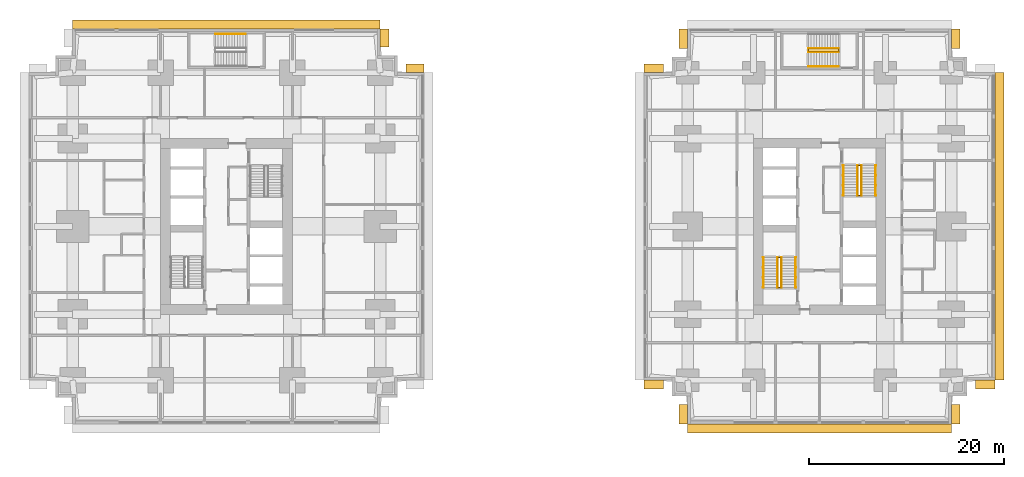
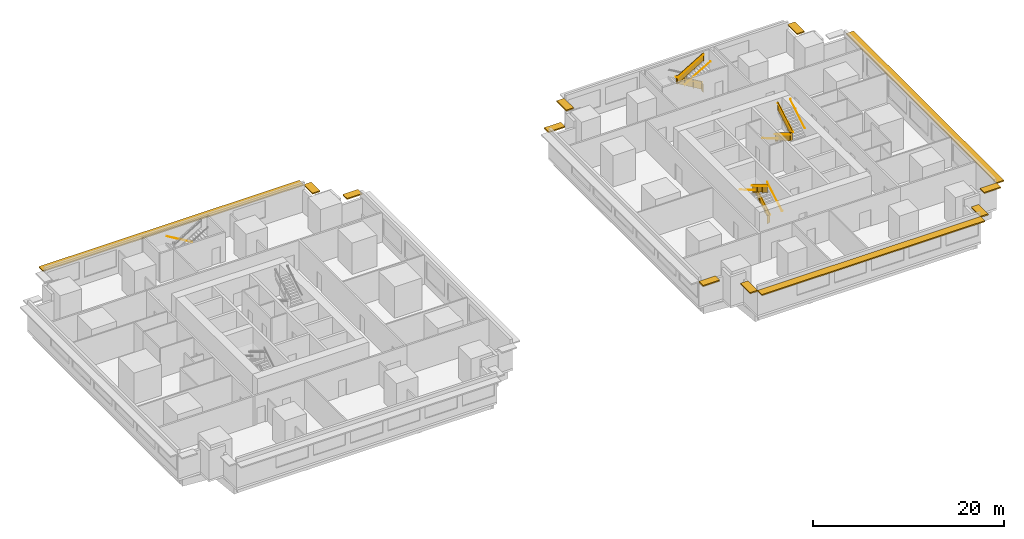
# One storey, part 10 of 11: 15 railings, 12 shading devices.
"""IFC4 building model written with IfcOpenShell, lengths in metres."""

from ifc_helpers import new_model, si_unit, direction, frame, origin, origin_2d, place, context, subcontext, project, spatial, polyline, rectangle, circle, outline, extrude, material, layer, layer_set, type_object, element, save


model = new_model("IFC4")

# Units and contexts
model_context = context("Model", 3, precision=1e-05, world=origin(), true_north=direction((0.0, 1.0)))
body_context = subcontext(model_context, "Body", "Model", "MODEL_VIEW")
ifc_project = project(units=[si_unit("LENGTHUNIT", "METRE"), si_unit("AREAUNIT", "SQUARE_METRE"), si_unit("VOLUMEUNIT", "CUBIC_METRE"), si_unit("PLANEANGLEUNIT", "RADIAN"), si_unit("MASSUNIT", "GRAM", prefix="KILO")], contexts=[model_context])

# Site, building, storey
site_placement = place(None, origin())
site = spatial("IfcSite", under=ifc_project, at=site_placement, CompositionType="ELEMENT")
building_placement = place(site_placement, origin())
building = spatial("IfcBuilding", under=site, at=building_placement, Name="Namib Vertical Campus", CompositionType="ELEMENT")
storey_placement = place(building_placement, frame((0.0, 0.0, 37.0)))
storey = spatial("IfcBuildingStorey", under=building, at=storey_placement, Name="L08", CompositionType="ELEMENT", Elevation=37.0)

# Railings
ifc_material_1 = material(Name="Steel handrail", Category="steel")
railing_type_1 = type_object("IfcRailingType", Name="Handrail 900", PredefinedType="HANDRAIL", material=ifc_material_1)
railing_1_placement = place(storey_placement, frame((78.550048828125, 14.0, 0.166748046875)))
element("IfcRailing", 1, at=railing_1_placement, inside=storey, type_object=railing_type_1, Name="Handrail HR1 B-S1 L08 1", PredefinedType="HANDRAIL", context=body_context, shape_type="SweptSolid", body=[
    extrude(circle(Radius=0.02392578125, at=origin_2d()), frame((0.0, 0.0, 0.8759765625), z_axis=(0.0, 0.859308565015, 0.511457515432), x_axis=(-1.0, 0.0, 0.0)), (0.0, 0.0, 1.0), 3.58447265625),
    extrude(circle(Radius=0.008056640625, at=origin_2d()), frame((0.0, 0.0, 0.8759765625), z_axis=(1.0, 0.0, 0.0), x_axis=(0.0, 0.0, 1.0)), (0.0, 0.0, 1.0), 0.050048828125),
    extrude(circle(Radius=0.008056640625, at=origin_2d()), frame((0.0, 1.026611328125, 1.48681640625), z_axis=(1.0, 0.0, 0.0), x_axis=(0.0, 0.0, 1.0)), (0.0, 0.0, 1.0), 0.050048828125),
    extrude(circle(Radius=0.008056640625, at=origin_2d()), frame((0.0, 2.053466796875, 2.09814453125), z_axis=(1.0, 0.0, 0.0), x_axis=(0.0, 0.0, 1.0)), (0.0, 0.0, 1.0), 0.050048828125),
    extrude(circle(Radius=0.008056640625, at=origin_2d()), frame((0.0, 3.080078125, 2.708984375), z_axis=(1.0, 0.0, 0.0), x_axis=(0.0, 0.0, 1.0)), (0.0, 0.0, 1.0), 0.050048828125),
])
railing_2_placement = place(storey_placement, frame((75.25, 17.080078125, 2.166748046875)))
element("IfcRailing", 2, at=railing_2_placement, inside=storey, type_object=railing_type_1, Name="Handrail HR1 B-S1 L08 2", PredefinedType="HANDRAIL", context=body_context, shape_type="SweptSolid", body=[
    extrude(circle(Radius=0.02392578125, at=origin_2d()), frame((0.0, 0.0, 0.8759765625), z_axis=(0.0, -0.859308565015, 0.511457515432), x_axis=(1.0, 0.0, 0.0)), (0.0, 0.0, 1.0), 3.58447265625),
    extrude(circle(Radius=0.008056640625, at=origin_2d()), frame((0.0, 0.0, 0.8759765625), z_axis=(-1.0, 0.0, 0.0), x_axis=(0.0, 0.0, 1.0)), (0.0, 0.0, 1.0), 0.050048828125),
    extrude(circle(Radius=0.008056640625, at=origin_2d()), frame((0.0, -1.026611328125, 1.48681640625), z_axis=(-1.0, 0.0, 0.0), x_axis=(0.0, 0.0, 1.0)), (0.0, 0.0, 1.0), 0.050048828125),
    extrude(circle(Radius=0.008056640625, at=origin_2d()), frame((0.0, -2.053466796875, 2.09814453125), z_axis=(-1.0, 0.0, 0.0), x_axis=(0.0, 0.0, 1.0)), (0.0, 0.0, 1.0), 0.050048828125),
    extrude(circle(Radius=0.008056640625, at=origin_2d()), frame((0.0, -3.080078125, 2.708984375), z_axis=(-1.0, 0.0, 0.0), x_axis=(0.0, 0.0, 1.0)), (0.0, 0.0, 1.0), 0.050048828125),
])
railing_3_placement = place(storey_placement, frame((77.10009765625, 14.0, 0.166748046875)))
element("IfcRailing", 3, at=railing_3_placement, inside=storey, type_object=railing_type_1, Name="Handrail HR1 B-S1 L08 1 at the well", PredefinedType="HANDRAIL", context=body_context, shape_type="SweptSolid", body=[
    extrude(circle(Radius=0.02392578125, at=origin_2d()), frame((0.0, 0.0, 0.8759765625), z_axis=(0.0, 0.859308565015, 0.511457515432), x_axis=(-1.0, 0.0, 0.0)), (0.0, 0.0, 1.0), 3.58447265625),
    extrude(circle(Radius=0.008056640625, at=origin_2d()), frame((0.0, 0.0, 0.8759765625), z_axis=(-1.0, 0.0, 0.0), x_axis=(0.0, 0.0, 1.0)), (0.0, 0.0, 1.0), 0.0400390625),
    extrude(circle(Radius=0.008056640625, at=origin_2d()), frame((0.0, 1.026611328125, 1.48681640625), z_axis=(-1.0, 0.0, 0.0), x_axis=(0.0, 0.0, 1.0)), (0.0, 0.0, 1.0), 0.0400390625),
    extrude(circle(Radius=0.008056640625, at=origin_2d()), frame((0.0, 2.053466796875, 2.09814453125), z_axis=(-1.0, 0.0, 0.0), x_axis=(0.0, 0.0, 1.0)), (0.0, 0.0, 1.0), 0.0400390625),
    extrude(circle(Radius=0.008056640625, at=origin_2d()), frame((0.0, 3.080078125, 2.708984375), z_axis=(-1.0, 0.0, 0.0), x_axis=(0.0, 0.0, 1.0)), (0.0, 0.0, 1.0), 0.0400390625),
])
railing_4_placement = place(storey_placement, frame((76.699951171875, 17.080078125, 2.166748046875)))
element("IfcRailing", 4, at=railing_4_placement, inside=storey, type_object=railing_type_1, Name="Handrail HR1 B-S1 L08 2 at the well", PredefinedType="HANDRAIL", context=body_context, shape_type="SweptSolid", body=[
    extrude(circle(Radius=0.02392578125, at=origin_2d()), frame((0.0, 0.0, 0.8759765625), z_axis=(0.0, -0.859308565015, 0.511457515432), x_axis=(1.0, 0.0, 0.0)), (0.0, 0.0, 1.0), 3.58447265625),
    extrude(circle(Radius=0.008056640625, at=origin_2d()), frame((0.0, 0.0, 0.8759765625), z_axis=(1.0, 0.0, 0.0), x_axis=(0.0, 0.0, 1.0)), (0.0, 0.0, 1.0), 0.0400390625),
    extrude(circle(Radius=0.008056640625, at=origin_2d()), frame((0.0, -1.026611328125, 1.48681640625), z_axis=(1.0, 0.0, 0.0), x_axis=(0.0, 0.0, 1.0)), (0.0, 0.0, 1.0), 0.0400390625),
    extrude(circle(Radius=0.008056640625, at=origin_2d()), frame((0.0, -2.053466796875, 2.09814453125), z_axis=(1.0, 0.0, 0.0), x_axis=(0.0, 0.0, 1.0)), (0.0, 0.0, 1.0), 0.0400390625),
    extrude(circle(Radius=0.008056640625, at=origin_2d()), frame((0.0, -3.080078125, 2.708984375), z_axis=(1.0, 0.0, 0.0), x_axis=(0.0, 0.0, 1.0)), (0.0, 0.0, 1.0), 0.0400390625),
])
railing_5_placement = place(storey_placement, frame((83.449951171875, 26.5, 0.166748046875)))
element("IfcRailing", 5, at=railing_5_placement, inside=storey, type_object=railing_type_1, Name="Handrail HR1 B-S2 L08 1", PredefinedType="HANDRAIL", context=body_context, shape_type="SweptSolid", body=[
    extrude(circle(Radius=0.02392578125, at=origin_2d()), frame((0.0, 0.0, 0.8759765625), z_axis=(0.0, -0.859308565015, 0.511457515432), x_axis=(1.0, 0.0, 0.0)), (0.0, 0.0, 1.0), 3.58447265625),
    extrude(circle(Radius=0.008056640625, at=origin_2d()), frame((0.0, 0.0, 0.8759765625), z_axis=(-1.0, 0.0, 0.0), x_axis=(0.0, 0.0, 1.0)), (0.0, 0.0, 1.0), 0.050048828125),
    extrude(circle(Radius=0.008056640625, at=origin_2d()), frame((0.0, -1.026611328125, 1.48681640625), z_axis=(-1.0, 0.0, 0.0), x_axis=(0.0, 0.0, 1.0)), (0.0, 0.0, 1.0), 0.050048828125),
    extrude(circle(Radius=0.008056640625, at=origin_2d()), frame((0.0, -2.053466796875, 2.09814453125), z_axis=(-1.0, 0.0, 0.0), x_axis=(0.0, 0.0, 1.0)), (0.0, 0.0, 1.0), 0.050048828125),
    extrude(circle(Radius=0.008056640625, at=origin_2d()), frame((0.0, -3.080078125, 2.708984375), z_axis=(-1.0, 0.0, 0.0), x_axis=(0.0, 0.0, 1.0)), (0.0, 0.0, 1.0), 0.050048828125),
])
railing_6_placement = place(storey_placement, frame((86.75, 23.419921875, 2.166748046875)))
element("IfcRailing", 6, at=railing_6_placement, inside=storey, type_object=railing_type_1, Name="Handrail HR1 B-S2 L08 2", PredefinedType="HANDRAIL", context=body_context, shape_type="SweptSolid", body=[
    extrude(circle(Radius=0.02392578125, at=origin_2d()), frame((0.0, 0.0, 0.8759765625), z_axis=(0.0, 0.859308565015, 0.511457515432), x_axis=(-1.0, 0.0, 0.0)), (0.0, 0.0, 1.0), 3.58447265625),
    extrude(circle(Radius=0.008056640625, at=origin_2d()), frame((0.0, 0.0, 0.8759765625), z_axis=(1.0, 0.0, 0.0), x_axis=(0.0, 0.0, 1.0)), (0.0, 0.0, 1.0), 0.050048828125),
    extrude(circle(Radius=0.008056640625, at=origin_2d()), frame((0.0, 1.026611328125, 1.48681640625), z_axis=(1.0, 0.0, 0.0), x_axis=(0.0, 0.0, 1.0)), (0.0, 0.0, 1.0), 0.050048828125),
    extrude(circle(Radius=0.008056640625, at=origin_2d()), frame((0.0, 2.053466796875, 2.09814453125), z_axis=(1.0, 0.0, 0.0), x_axis=(0.0, 0.0, 1.0)), (0.0, 0.0, 1.0), 0.050048828125),
    extrude(circle(Radius=0.008056640625, at=origin_2d()), frame((0.0, 3.080078125, 2.708984375), z_axis=(1.0, 0.0, 0.0), x_axis=(0.0, 0.0, 1.0)), (0.0, 0.0, 1.0), 0.050048828125),
])
railing_7_placement = place(storey_placement, frame((84.89990234375, 26.5, 0.166748046875)))
element("IfcRailing", 7, at=railing_7_placement, inside=storey, type_object=railing_type_1, Name="Handrail HR1 B-S2 L08 1 at the well", PredefinedType="HANDRAIL", context=body_context, shape_type="SweptSolid", body=[
    extrude(circle(Radius=0.02392578125, at=origin_2d()), frame((0.0, 0.0, 0.8759765625), z_axis=(0.0, -0.859308565015, 0.511457515432), x_axis=(1.0, 0.0, 0.0)), (0.0, 0.0, 1.0), 3.58447265625),
    extrude(circle(Radius=0.008056640625, at=origin_2d()), frame((0.0, 0.0, 0.8759765625), z_axis=(1.0, 0.0, 0.0), x_axis=(0.0, 0.0, 1.0)), (0.0, 0.0, 1.0), 0.0400390625),
    extrude(circle(Radius=0.008056640625, at=origin_2d()), frame((0.0, -1.026611328125, 1.48681640625), z_axis=(1.0, 0.0, 0.0), x_axis=(0.0, 0.0, 1.0)), (0.0, 0.0, 1.0), 0.0400390625),
    extrude(circle(Radius=0.008056640625, at=origin_2d()), frame((0.0, -2.053466796875, 2.09814453125), z_axis=(1.0, 0.0, 0.0), x_axis=(0.0, 0.0, 1.0)), (0.0, 0.0, 1.0), 0.0400390625),
    extrude(circle(Radius=0.008056640625, at=origin_2d()), frame((0.0, -3.080078125, 2.708984375), z_axis=(1.0, 0.0, 0.0), x_axis=(0.0, 0.0, 1.0)), (0.0, 0.0, 1.0), 0.0400390625),
])
railing_8_placement = place(storey_placement, frame((85.300048828125, 23.419921875, 2.166748046875)))
element("IfcRailing", 8, at=railing_8_placement, inside=storey, type_object=railing_type_1, Name="Handrail HR1 B-S2 L08 2 at the well", PredefinedType="HANDRAIL", context=body_context, shape_type="SweptSolid", body=[
    extrude(circle(Radius=0.02392578125, at=origin_2d()), frame((0.0, 0.0, 0.8759765625), z_axis=(0.0, 0.859308565015, 0.511457515432), x_axis=(-1.0, 0.0, 0.0)), (0.0, 0.0, 1.0), 3.58447265625),
    extrude(circle(Radius=0.008056640625, at=origin_2d()), frame((0.0, 0.0, 0.8759765625), z_axis=(-1.0, 0.0, 0.0), x_axis=(0.0, 0.0, 1.0)), (0.0, 0.0, 1.0), 0.0400390625),
    extrude(circle(Radius=0.008056640625, at=origin_2d()), frame((0.0, 1.026611328125, 1.48681640625), z_axis=(-1.0, 0.0, 0.0), x_axis=(0.0, 0.0, 1.0)), (0.0, 0.0, 1.0), 0.0400390625),
    extrude(circle(Radius=0.008056640625, at=origin_2d()), frame((0.0, 2.053466796875, 2.09814453125), z_axis=(-1.0, 0.0, 0.0), x_axis=(0.0, 0.0, 1.0)), (0.0, 0.0, 1.0), 0.0400390625),
    extrude(circle(Radius=0.008056640625, at=origin_2d()), frame((0.0, 3.080078125, 2.708984375), z_axis=(-1.0, 0.0, 0.0), x_axis=(0.0, 0.0, 1.0)), (0.0, 0.0, 1.0), 0.0400390625),
])
railing_9_placement = place(storey_placement, frame((22.199951171875, 39.949951171875, 0.166748046875)))
element("IfcRailing", 9, at=railing_9_placement, inside=storey, type_object=railing_type_1, Name="Handrail HR1 A-S3 L08 1", PredefinedType="HANDRAIL", context=body_context, shape_type="SweptSolid", body=[
    extrude(circle(Radius=0.02392578125, at=origin_2d()), frame((0.0, 0.0, 0.8759765625), z_axis=(-0.859290745958, 0.0, 0.51148745235), x_axis=(0.0, -1.0, 0.0)), (0.0, 0.0, 1.0), 3.584228515625),
    extrude(circle(Radius=0.008056640625, at=origin_2d()), frame((0.0, 0.0, 0.8759765625), z_axis=(0.0, 1.0, 0.0), x_axis=(0.0, 0.0, 1.0)), (0.0, 0.0, 1.0), 0.050048828125),
    extrude(circle(Radius=0.008056640625, at=origin_2d()), frame((-1.026611328125, 0.0, 1.48681640625), z_axis=(0.0, 1.0, 0.0), x_axis=(0.0, 0.0, 1.0)), (0.0, 0.0, 1.0), 0.050048828125),
    extrude(circle(Radius=0.008056640625, at=origin_2d()), frame((-2.05322265625, 0.0, 2.09814453125), z_axis=(0.0, 1.0, 0.0), x_axis=(0.0, 0.0, 1.0)), (0.0, 0.0, 1.0), 0.050048828125),
    extrude(circle(Radius=0.008056640625, at=origin_2d()), frame((-3.079833984375, 0.0, 2.708984375), z_axis=(0.0, 1.0, 0.0), x_axis=(0.0, 0.0, 1.0)), (0.0, 0.0, 1.0), 0.050048828125),
])
railing_10_placement = place(storey_placement, frame((79.8701171875, 36.64990234375, 2.166748046875)))
element("IfcRailing", 10, at=railing_10_placement, inside=storey, type_object=railing_type_1, Name="Handrail HR1 B-S3 L08 2", PredefinedType="HANDRAIL", context=body_context, shape_type="SweptSolid", body=[
    extrude(circle(Radius=0.02392578125, at=origin_2d()), frame((0.0, 0.0, 0.8759765625), z_axis=(0.859290745958, 0.0, 0.51148745235), x_axis=(0.0, 1.0, 0.0)), (0.0, 0.0, 1.0), 3.584228515625),
    extrude(circle(Radius=0.008056640625, at=origin_2d()), frame((0.0, 0.0, 0.8759765625), z_axis=(0.0, -1.0, 0.0), x_axis=(0.0, 0.0, 1.0)), (0.0, 0.0, 1.0), 0.050048828125),
    extrude(circle(Radius=0.008056640625, at=origin_2d()), frame((1.026611328125, 0.0, 1.48681640625), z_axis=(0.0, -1.0, 0.0), x_axis=(0.0, 0.0, 1.0)), (0.0, 0.0, 1.0), 0.050048828125),
    extrude(circle(Radius=0.008056640625, at=origin_2d()), frame((2.05322265625, 0.0, 2.09814453125), z_axis=(0.0, -1.0, 0.0), x_axis=(0.0, 0.0, 1.0)), (0.0, 0.0, 1.0), 0.050048828125),
    extrude(circle(Radius=0.008056640625, at=origin_2d()), frame((3.079833984375, 0.0, 2.708984375), z_axis=(0.0, -1.0, 0.0), x_axis=(0.0, 0.0, 1.0)), (0.0, 0.0, 1.0), 0.050048828125),
])
railing_11_placement = place(storey_placement, frame((82.949951171875, 38.5, 0.166748046875)))
element("IfcRailing", 11, at=railing_11_placement, inside=storey, type_object=railing_type_1, Name="Handrail HR1 B-S3 L08 1 at the well", PredefinedType="HANDRAIL", context=body_context, shape_type="SweptSolid", body=[
    extrude(circle(Radius=0.02392578125, at=origin_2d()), frame((0.0, 0.0, 0.8759765625), z_axis=(-0.859290745958, 0.0, 0.51148745235), x_axis=(0.0, -1.0, 0.0)), (0.0, 0.0, 1.0), 3.584228515625),
    extrude(circle(Radius=0.008056640625, at=origin_2d()), frame((0.0, 0.0, 0.8759765625), z_axis=(0.0, -1.0, 0.0), x_axis=(0.0, 0.0, 1.0)), (0.0, 0.0, 1.0), 0.0400390625),
    extrude(circle(Radius=0.008056640625, at=origin_2d()), frame((-1.026611328125, 0.0, 1.48681640625), z_axis=(0.0, -1.0, 0.0), x_axis=(0.0, 0.0, 1.0)), (0.0, 0.0, 1.0), 0.0400390625),
    extrude(circle(Radius=0.008056640625, at=origin_2d()), frame((-2.05322265625, 0.0, 2.09814453125), z_axis=(0.0, -1.0, 0.0), x_axis=(0.0, 0.0, 1.0)), (0.0, 0.0, 1.0), 0.0400390625),
    extrude(circle(Radius=0.008056640625, at=origin_2d()), frame((-3.079833984375, 0.0, 2.708984375), z_axis=(0.0, -1.0, 0.0), x_axis=(0.0, 0.0, 1.0)), (0.0, 0.0, 1.0), 0.0400390625),
])
railing_12_placement = place(storey_placement, frame((79.8701171875, 38.10009765625, 2.166748046875)))
element("IfcRailing", 12, at=railing_12_placement, inside=storey, type_object=railing_type_1, Name="Handrail HR1 B-S3 L08 2 at the well", PredefinedType="HANDRAIL", context=body_context, shape_type="SweptSolid", body=[
    extrude(circle(Radius=0.02392578125, at=origin_2d()), frame((0.0, 0.0, 0.8759765625), z_axis=(0.859290745958, 0.0, 0.51148745235), x_axis=(0.0, 1.0, 0.0)), (0.0, 0.0, 1.0), 3.584228515625),
    extrude(circle(Radius=0.008056640625, at=origin_2d()), frame((0.0, 0.0, 0.8759765625), z_axis=(0.0, 1.0, 0.0), x_axis=(0.0, 0.0, 1.0)), (0.0, 0.0, 1.0), 0.0400390625),
    extrude(circle(Radius=0.008056640625, at=origin_2d()), frame((1.026611328125, 0.0, 1.48681640625), z_axis=(0.0, 1.0, 0.0), x_axis=(0.0, 0.0, 1.0)), (0.0, 0.0, 1.0), 0.0400390625),
    extrude(circle(Radius=0.008056640625, at=origin_2d()), frame((2.05322265625, 0.0, 2.09814453125), z_axis=(0.0, 1.0, 0.0), x_axis=(0.0, 0.0, 1.0)), (0.0, 0.0, 1.0), 0.0400390625),
    extrude(circle(Radius=0.008056640625, at=origin_2d()), frame((3.079833984375, 0.0, 2.708984375), z_axis=(0.0, 1.0, 0.0), x_axis=(0.0, 0.0, 1.0)), (0.0, 0.0, 1.0), 0.0400390625),
])
ifc_material_2 = material(Name="Steel balustrade", Category="steel")
railing_type_2 = type_object("IfcRailingType", Name="Stair guard 1100", PredefinedType="GUARDRAIL", material=ifc_material_2)
railing_13_placement = place(storey_placement, frame((76.75, 14.0, 0.0)))
element("IfcRailing", 13, at=railing_13_placement, inside=storey, type_object=railing_type_2, Name="Stair guard GR1 B-S1 L08", PredefinedType="GUARDRAIL", context=body_context, shape_type="SweptSolid", body=[
    extrude(circle(Radius=0.02392578125, at=origin_2d()), frame((0.0, 0.0, 1.076171875), z_axis=(1.0, 0.0, 0.0), x_axis=(0.0, 1.0, 0.0)), (0.0, 0.0, 1.0), 0.300048828125),
    extrude(outline(polyline([(0.02099609375, 0.050048828125), (0.279052734375, 0.050048828125), (0.279052734375, 1.052001953125), (0.02099609375, 1.052001953125), (0.02099609375, 0.050048828125)])), frame((0.0, 0.010009765625, 0.0), z_axis=(0.0, -1.0, 0.0), x_axis=(1.0, 0.0, 0.0)), (0.0, 0.0, 1.0), 0.02001953125),
    extrude(circle(Radius=0.02392578125, at=origin_2d()), frame((0.300048828125, 0.0, 1.076171875), z_axis=(0.0, 0.0, 1.0), x_axis=(1.0, 0.0, 0.0)), (0.0, 0.0, 1.0), 0.166748046875),
    extrude(circle(Radius=0.02392578125, at=origin_2d()), frame((0.300048828125, 0.0, 1.24267578125), z_axis=(0.0, 0.859308565015, 0.511457515432), x_axis=(-1.0, 0.0, 0.0)), (0.0, 0.0, 1.0), 3.58447265625),
    extrude(outline(polyline([(0.02099609375, 0.0625), (3.05908203125, 1.870849609375), (3.05908203125, 2.872802734375), (0.02099609375, 1.064453125), (0.02099609375, 0.0625)])), frame((0.2900390625, 0.0, 0.166748046875), z_axis=(1.0, 0.0, 0.0), x_axis=(0.0, 1.0, 0.0)), (0.0, 0.0, 1.0), 0.02001953125),
    extrude(circle(Radius=0.02392578125, at=origin_2d()), frame((0.300048828125, 3.080078125, 3.076171875), z_axis=(-1.0, 0.0, 0.0), x_axis=(0.0, -1.0, 0.0)), (0.0, 0.0, 1.0), 0.300048828125),
    extrude(outline(polyline([(0.02099609375, 0.050048828125), (0.279052734375, 0.050048828125), (0.279052734375, 1.052001953125), (0.02099609375, 1.052001953125), (0.02099609375, 0.050048828125)])), frame((0.300048828125, 3.070068359375, 2.0), z_axis=(0.0, 1.0, 0.0), x_axis=(-1.0, 0.0, 0.0)), (0.0, 0.0, 1.0), 0.02001953125),
    extrude(circle(Radius=0.02392578125, at=origin_2d()), frame((0.0, 3.080078125, 3.076171875), z_axis=(0.0, 0.0, 1.0), x_axis=(1.0, 0.0, 0.0)), (0.0, 0.0, 1.0), 0.166748046875),
    extrude(circle(Radius=0.02392578125, at=origin_2d()), frame((0.0, 3.080078125, 3.24267578125), z_axis=(0.0, -0.859308565015, 0.511457515432), x_axis=(1.0, 0.0, 0.0)), (0.0, 0.0, 1.0), 3.58447265625),
    extrude(outline(polyline([(0.02099609375, 0.0625), (3.05908203125, 1.870849609375), (3.05908203125, 2.872802734375), (0.02099609375, 1.064453125), (0.02099609375, 0.0625)])), frame((0.010009765625, 3.080078125, 2.166748046875), z_axis=(-1.0, 0.0, 0.0), x_axis=(0.0, -1.0, 0.0)), (0.0, 0.0, 1.0), 0.02001953125),
    extrude(circle(Radius=0.02392578125, at=origin_2d()), frame((0.0, 0.0, 5.076171875), z_axis=(0.0, -1.0, 0.0), x_axis=(1.0, 0.0, 0.0)), (0.0, 0.0, 1.0), 0.050048828125),
    extrude(outline(polyline([(0.02099609375, 0.050048828125), (0.029052734375, 0.050048828125), (0.029052734375, 1.052001953125), (0.02099609375, 1.052001953125), (0.02099609375, 0.050048828125)])), frame((0.010009765625, 0.0, 4.0), z_axis=(-1.0, 0.0, 0.0), x_axis=(0.0, -1.0, 0.0)), (0.0, 0.0, 1.0), 0.02001953125),
    extrude(circle(Radius=0.02099609375, at=origin_2d()), origin(), (0.0, 0.0, 1.0), 1.052001953125),
    extrude(circle(Radius=0.02099609375, at=origin_2d()), frame((0.300048828125, 0.0, 0.166748046875)), (0.0, 0.0, 1.0), 1.052001953125),
    extrude(circle(Radius=0.02099609375, at=origin_2d()), frame((0.300048828125, 1.026611328125, 0.666748046875)), (0.0, 0.0, 1.0), 1.1630859375),
    extrude(circle(Radius=0.02099609375, at=origin_2d()), frame((0.300048828125, 2.053466796875, 1.33349609375)), (0.0, 0.0, 1.0), 1.107421875),
    extrude(circle(Radius=0.02099609375, at=origin_2d()), frame((0.300048828125, 3.080078125, 2.0)), (0.0, 0.0, 1.0), 1.052001953125),
    extrude(circle(Radius=0.02099609375, at=origin_2d()), frame((0.0, 3.080078125, 2.166748046875)), (0.0, 0.0, 1.0), 1.052001953125),
    extrude(circle(Radius=0.02099609375, at=origin_2d()), frame((0.0, 2.053466796875, 2.666748046875)), (0.0, 0.0, 1.0), 1.1630859375),
    extrude(circle(Radius=0.02099609375, at=origin_2d()), frame((0.0, 1.026611328125, 3.33349609375)), (0.0, 0.0, 1.0), 1.107421875),
    extrude(circle(Radius=0.02099609375, at=origin_2d()), frame((0.0, 0.0, 4.0)), (0.0, 0.0, 1.0), 1.052001953125),
    extrude(circle(Radius=0.02099609375, at=origin_2d()), frame((0.0, -0.050048828125, 4.0)), (0.0, 0.0, 1.0), 1.052001953125),
])
railing_14_placement = place(storey_placement, frame((85.25, 26.5, 0.0)))
element("IfcRailing", 14, at=railing_14_placement, inside=storey, type_object=railing_type_2, Name="Stair guard GR1 B-S2 L08", PredefinedType="GUARDRAIL", context=body_context, shape_type="SweptSolid", body=[
    extrude(circle(Radius=0.02392578125, at=origin_2d()), frame((0.0, 0.0, 1.076171875), z_axis=(-1.0, 0.0, 0.0), x_axis=(0.0, -1.0, 0.0)), (0.0, 0.0, 1.0), 0.300048828125),
    extrude(outline(polyline([(0.02099609375, 0.050048828125), (0.279052734375, 0.050048828125), (0.279052734375, 1.052001953125), (0.02099609375, 1.052001953125), (0.02099609375, 0.050048828125)])), frame((0.0, -0.010009765625, 0.0), z_axis=(0.0, 1.0, 0.0), x_axis=(-1.0, 0.0, 0.0)), (0.0, 0.0, 1.0), 0.02001953125),
    extrude(circle(Radius=0.02392578125, at=origin_2d()), frame((-0.300048828125, 0.0, 1.076171875), z_axis=(0.0, 0.0, 1.0), x_axis=(1.0, 0.0, 0.0)), (0.0, 0.0, 1.0), 0.166748046875),
    extrude(circle(Radius=0.02392578125, at=origin_2d()), frame((-0.300048828125, 0.0, 1.24267578125), z_axis=(0.0, -0.859308565015, 0.511457515432), x_axis=(1.0, 0.0, 0.0)), (0.0, 0.0, 1.0), 3.58447265625),
    extrude(outline(polyline([(0.02099609375, 0.0625), (3.05908203125, 1.870849609375), (3.05908203125, 2.872802734375), (0.02099609375, 1.064453125), (0.02099609375, 0.0625)])), frame((-0.2900390625, 0.0, 0.166748046875), z_axis=(-1.0, 0.0, 0.0), x_axis=(0.0, -1.0, 0.0)), (0.0, 0.0, 1.0), 0.02001953125),
    extrude(circle(Radius=0.02392578125, at=origin_2d()), frame((-0.300048828125, -3.080078125, 3.076171875), z_axis=(1.0, 0.0, 0.0), x_axis=(0.0, 1.0, 0.0)), (0.0, 0.0, 1.0), 0.300048828125),
    extrude(outline(polyline([(0.02099609375, 0.050048828125), (0.279052734375, 0.050048828125), (0.279052734375, 1.052001953125), (0.02099609375, 1.052001953125), (0.02099609375, 0.050048828125)])), frame((-0.300048828125, -3.070068359375, 2.0), z_axis=(0.0, -1.0, 0.0), x_axis=(1.0, 0.0, 0.0)), (0.0, 0.0, 1.0), 0.02001953125),
    extrude(circle(Radius=0.02392578125, at=origin_2d()), frame((0.0, -3.080078125, 3.076171875), z_axis=(0.0, 0.0, 1.0), x_axis=(1.0, 0.0, 0.0)), (0.0, 0.0, 1.0), 0.166748046875),
    extrude(circle(Radius=0.02392578125, at=origin_2d()), frame((0.0, -3.080078125, 3.24267578125), z_axis=(0.0, 0.859308565015, 0.511457515432), x_axis=(-1.0, 0.0, 0.0)), (0.0, 0.0, 1.0), 3.58447265625),
    extrude(outline(polyline([(0.02099609375, 0.0625), (3.05908203125, 1.870849609375), (3.05908203125, 2.872802734375), (0.02099609375, 1.064453125), (0.02099609375, 0.0625)])), frame((-0.010009765625, -3.080078125, 2.166748046875), z_axis=(1.0, 0.0, 0.0), x_axis=(0.0, 1.0, 0.0)), (0.0, 0.0, 1.0), 0.02001953125),
    extrude(circle(Radius=0.02392578125, at=origin_2d()), frame((0.0, 0.0, 5.076171875), z_axis=(0.0, 1.0, 0.0), x_axis=(-1.0, 0.0, 0.0)), (0.0, 0.0, 1.0), 0.050048828125),
    extrude(outline(polyline([(0.02099609375, 0.050048828125), (0.029052734375, 0.050048828125), (0.029052734375, 1.052001953125), (0.02099609375, 1.052001953125), (0.02099609375, 0.050048828125)])), frame((-0.010009765625, 0.0, 4.0), z_axis=(1.0, 0.0, 0.0), x_axis=(0.0, 1.0, 0.0)), (0.0, 0.0, 1.0), 0.02001953125),
    extrude(circle(Radius=0.02099609375, at=origin_2d()), origin(), (0.0, 0.0, 1.0), 1.052001953125),
    extrude(circle(Radius=0.02099609375, at=origin_2d()), frame((-0.300048828125, 0.0, 0.166748046875)), (0.0, 0.0, 1.0), 1.052001953125),
    extrude(circle(Radius=0.02099609375, at=origin_2d()), frame((-0.300048828125, -1.026611328125, 0.666748046875)), (0.0, 0.0, 1.0), 1.1630859375),
    extrude(circle(Radius=0.02099609375, at=origin_2d()), frame((-0.300048828125, -2.053466796875, 1.33349609375)), (0.0, 0.0, 1.0), 1.107421875),
    extrude(circle(Radius=0.02099609375, at=origin_2d()), frame((-0.300048828125, -3.080078125, 2.0)), (0.0, 0.0, 1.0), 1.052001953125),
    extrude(circle(Radius=0.02099609375, at=origin_2d()), frame((0.0, -3.080078125, 2.166748046875)), (0.0, 0.0, 1.0), 1.052001953125),
    extrude(circle(Radius=0.02099609375, at=origin_2d()), frame((0.0, -2.053466796875, 2.666748046875)), (0.0, 0.0, 1.0), 1.1630859375),
    extrude(circle(Radius=0.02099609375, at=origin_2d()), frame((0.0, -1.026611328125, 3.33349609375)), (0.0, 0.0, 1.0), 1.107421875),
    extrude(circle(Radius=0.02099609375, at=origin_2d()), frame((0.0, 0.0, 4.0)), (0.0, 0.0, 1.0), 1.052001953125),
    extrude(circle(Radius=0.02099609375, at=origin_2d()), frame((0.0, 0.050048828125, 4.0)), (0.0, 0.0, 1.0), 1.052001953125),
])
railing_15_placement = place(storey_placement, frame((82.949951171875, 38.14990234375, 0.0)))
element("IfcRailing", 15, at=railing_15_placement, inside=storey, type_object=railing_type_2, Name="Stair guard GR1 B-S3 L08", PredefinedType="GUARDRAIL", context=body_context, shape_type="SweptSolid", body=[
    extrude(circle(Radius=0.02392578125, at=origin_2d()), frame((0.0, 0.0, 1.076171875), z_axis=(0.0, 1.0, 0.0), x_axis=(-1.0, 0.0, 0.0)), (0.0, 0.0, 1.0), 0.300048828125),
    extrude(outline(polyline([(0.02099609375, 0.050048828125), (0.279052734375, 0.050048828125), (0.279052734375, 1.052001953125), (0.02099609375, 1.052001953125), (0.02099609375, 0.050048828125)])), frame((-0.010009765625, 0.0, 0.0), z_axis=(1.0, 0.0, 0.0), x_axis=(0.0, 1.0, 0.0)), (0.0, 0.0, 1.0), 0.02001953125),
    extrude(circle(Radius=0.02392578125, at=origin_2d()), frame((0.0, 0.300048828125, 1.076171875), z_axis=(0.0, 0.0, 1.0), x_axis=(1.0, 0.0, 0.0)), (0.0, 0.0, 1.0), 0.166748046875),
    extrude(circle(Radius=0.02392578125, at=origin_2d()), frame((0.0, 0.300048828125, 1.24267578125), z_axis=(-0.859290745958, 0.0, 0.51148745235), x_axis=(0.0, -1.0, 0.0)), (0.0, 0.0, 1.0), 3.584228515625),
    extrude(outline(polyline([(0.02099609375, 0.0625), (3.058837890625, 1.870849609375), (3.058837890625, 2.872802734375), (0.02099609375, 1.064453125), (0.02099609375, 0.0625)])), frame((0.0, 0.2900390625, 0.166748046875), z_axis=(0.0, 1.0, 0.0), x_axis=(-1.0, 0.0, 0.0)), (0.0, 0.0, 1.0), 0.02001953125),
    extrude(circle(Radius=0.02392578125, at=origin_2d()), frame((-3.079833984375, 0.300048828125, 3.076171875), z_axis=(0.0, -1.0, 0.0), x_axis=(1.0, 0.0, 0.0)), (0.0, 0.0, 1.0), 0.300048828125),
    extrude(outline(polyline([(0.02099609375, 0.050048828125), (0.279052734375, 0.050048828125), (0.279052734375, 1.052001953125), (0.02099609375, 1.052001953125), (0.02099609375, 0.050048828125)])), frame((-3.06982421875, 0.300048828125, 2.0), z_axis=(-1.0, 0.0, 0.0), x_axis=(0.0, -1.0, 0.0)), (0.0, 0.0, 1.0), 0.02001953125),
    extrude(circle(Radius=0.02392578125, at=origin_2d()), frame((-3.079833984375, 0.0, 3.076171875), z_axis=(0.0, 0.0, 1.0), x_axis=(1.0, 0.0, 0.0)), (0.0, 0.0, 1.0), 0.166748046875),
    extrude(circle(Radius=0.02392578125, at=origin_2d()), frame((-3.079833984375, 0.0, 3.24267578125), z_axis=(0.859290745958, 0.0, 0.51148745235), x_axis=(0.0, 1.0, 0.0)), (0.0, 0.0, 1.0), 3.584228515625),
    extrude(outline(polyline([(0.02099609375, 0.0625), (3.058837890625, 1.870849609375), (3.058837890625, 2.872802734375), (0.02099609375, 1.064453125), (0.02099609375, 0.0625)])), frame((-3.079833984375, 0.010009765625, 2.166748046875), z_axis=(0.0, -1.0, 0.0), x_axis=(1.0, 0.0, 0.0)), (0.0, 0.0, 1.0), 0.02001953125),
    extrude(circle(Radius=0.02392578125, at=origin_2d()), frame((0.0, 0.0, 5.076171875), z_axis=(1.0, 0.0, 0.0), x_axis=(0.0, 1.0, 0.0)), (0.0, 0.0, 1.0), 0.050048828125),
    extrude(outline(polyline([(0.02099609375, 0.050048828125), (0.029052734375, 0.050048828125), (0.029052734375, 1.052001953125), (0.02099609375, 1.052001953125), (0.02099609375, 0.050048828125)])), frame((0.0, 0.010009765625, 4.0), z_axis=(0.0, -1.0, 0.0), x_axis=(1.0, 0.0, 0.0)), (0.0, 0.0, 1.0), 0.02001953125),
    extrude(circle(Radius=0.02099609375, at=origin_2d()), origin(), (0.0, 0.0, 1.0), 1.052001953125),
    extrude(circle(Radius=0.02099609375, at=origin_2d()), frame((0.0, 0.300048828125, 0.166748046875)), (0.0, 0.0, 1.0), 1.052001953125),
    extrude(circle(Radius=0.02099609375, at=origin_2d()), frame((-1.026611328125, 0.300048828125, 0.666748046875)), (0.0, 0.0, 1.0), 1.1630859375),
    extrude(circle(Radius=0.02099609375, at=origin_2d()), frame((-2.05322265625, 0.300048828125, 1.33349609375)), (0.0, 0.0, 1.0), 1.107421875),
    extrude(circle(Radius=0.02099609375, at=origin_2d()), frame((-3.079833984375, 0.300048828125, 2.0)), (0.0, 0.0, 1.0), 1.052001953125),
    extrude(circle(Radius=0.02099609375, at=origin_2d()), frame((-3.079833984375, 0.0, 2.166748046875)), (0.0, 0.0, 1.0), 1.052001953125),
    extrude(circle(Radius=0.02099609375, at=origin_2d()), frame((-2.05322265625, 0.0, 2.666748046875)), (0.0, 0.0, 1.0), 1.1630859375),
    extrude(circle(Radius=0.02099609375, at=origin_2d()), frame((-1.026611328125, 0.0, 3.33349609375)), (0.0, 0.0, 1.0), 1.107421875),
    extrude(circle(Radius=0.02099609375, at=origin_2d()), frame((0.0, 0.0, 4.0)), (0.0, 0.0, 1.0), 1.052001953125),
    extrude(circle(Radius=0.02099609375, at=origin_2d()), frame((0.050048828125, 0.0, 4.0)), (0.0, 0.0, 1.0), 1.052001953125),
])

# Shading devices
ifc_material_3 = material(Name="Concrete C40/50 precast", Category="concrete")
ifc_layer = layer(ifc_material_3, 0.14990234375)
ifc_layer_set = layer_set([ifc_layer], Name="Concrete C40/50 precast")
shading_device_type = type_object("IfcShadingDeviceType", Name="Sunshade hood 900", PredefinedType="SHUTTER", material=ifc_layer_set)
for number, where, z_axis, x_axis, name in (
    (16, (39.574951171875, 36.449951171875, 3.10009765625), (0.0, 0.0, 1.0), (-1.0, 0.0, 0.0), "Sunshade SH1 L08 7"),
    (17, (36.449951171875, 39.574951171875, 3.10009765625), (0.0, 0.0, 1.0), (0.0, 1.0, 0.0), "Sunshade SH1 L08 10"),
):
    element("IfcShadingDevice", number, at=place(storey_placement, frame(where, z_axis=z_axis, x_axis=x_axis)), inside=storey, type_object=shading_device_type, Name=name, PredefinedType="SHUTTER", context=body_context, shape_type="SweptSolid", body=[
        extrude(rectangle(XDim=1.85009765625, YDim=0.89990234375, at=origin_2d()), origin(), (0.0, 0.0, 1.0), 0.14990234375),
    ])
shading_device_1_placement = place(storey_placement, frame((20.25, 40.949951171875, 3.10009765625), z_axis=(0.0, 0.0, 1.0), x_axis=(-1.0, 0.0, 0.0)))
element("IfcShadingDevice", 18, at=shading_device_1_placement, inside=storey, type_object=shading_device_type, Name="Sunshade SH1 L08 11", PredefinedType="SHUTTER", context=body_context, shape_type="SweptSolid", body=[
    extrude(rectangle(XDim=31.5, YDim=0.89990234375, at=origin_2d()), origin(), (0.0, 0.0, 1.0), 0.14990234375),
])
shading_device_2_placement = place(storey_placement, frame((81.0, -0.449951171875, 3.10009765625), z_axis=(0.0, 0.0, 1.0), x_axis=(1.0, 0.0, 0.0)))
element("IfcShadingDevice", 19, at=shading_device_2_placement, inside=storey, type_object=shading_device_type, Name="Sunshade SH1 L08 1", PredefinedType="SHUTTER", context=body_context, shape_type="SweptSolid", body=[
    extrude(rectangle(XDim=27.0, YDim=0.89990234375, at=origin_2d()), origin(), (0.0, 0.0, 1.0), 0.14990234375),
])
for number, where, z_axis, x_axis, name in (
    (20, (94.949951171875, 1.0, 3.10009765625), (0.0, 0.0, 1.0), (0.0, 1.0, 0.0), "Sunshade SH1 L08 2"),
    (21, (98.0, 4.050048828125, 3.10009765625), (0.0, 0.0, 1.0), (1.0, 0.0, 0.0), "Sunshade SH1 L08 5"),
):
    element("IfcShadingDevice", number, at=place(storey_placement, frame(where, z_axis=z_axis, x_axis=x_axis)), inside=storey, type_object=shading_device_type, Name=name, PredefinedType="SHUTTER", context=body_context, shape_type="SweptSolid", body=[
        extrude(rectangle(XDim=2.0, YDim=0.89990234375, at=origin_2d()), origin(), (0.0, 0.0, 1.0), 0.14990234375),
    ])
shading_device_3_placement = place(storey_placement, frame((99.449951171875, 20.25, 3.10009765625), z_axis=(0.0, 0.0, 1.0), x_axis=(0.0, 1.0, 0.0)))
element("IfcShadingDevice", 22, at=shading_device_3_placement, inside=storey, type_object=shading_device_type, Name="Sunshade SH1 L08 6", PredefinedType="SHUTTER", context=body_context, shape_type="SweptSolid", body=[
    extrude(rectangle(XDim=31.5, YDim=0.89990234375, at=origin_2d()), origin(), (0.0, 0.0, 1.0), 0.14990234375),
])
for number, where, z_axis, x_axis, name in (
    (23, (94.949951171875, 39.5, 3.10009765625), (0.0, 0.0, 1.0), (0.0, 1.0, 0.0), "Sunshade SH1 L08 10"),
    (24, (67.050048828125, 39.5, 3.10009765625), (0.0, 0.0, 1.0), (0.0, -1.0, 0.0), "Sunshade SH1 L08 12"),
    (25, (64.0, 36.449951171875, 3.10009765625), (0.0, 0.0, 1.0), (-1.0, 0.0, 0.0), "Sunshade SH1 L08 15"),
    (26, (64.0, 4.050048828125, 3.10009765625), (0.0, 0.0, 1.0), (1.0, 0.0, 0.0), "Sunshade SH1 L08 17"),
    (27, (67.050048828125, 1.0, 3.10009765625), (0.0, 0.0, 1.0), (0.0, -1.0, 0.0), "Sunshade SH1 L08 20"),
):
    element("IfcShadingDevice", number, at=place(storey_placement, frame(where, z_axis=z_axis, x_axis=x_axis)), inside=storey, type_object=shading_device_type, Name=name, PredefinedType="SHUTTER", context=body_context, shape_type="SweptSolid", body=[
        extrude(rectangle(XDim=2.0, YDim=0.89990234375, at=origin_2d()), origin(), (0.0, 0.0, 1.0), 0.14990234375),
    ])

save(model, "model.ifc")
